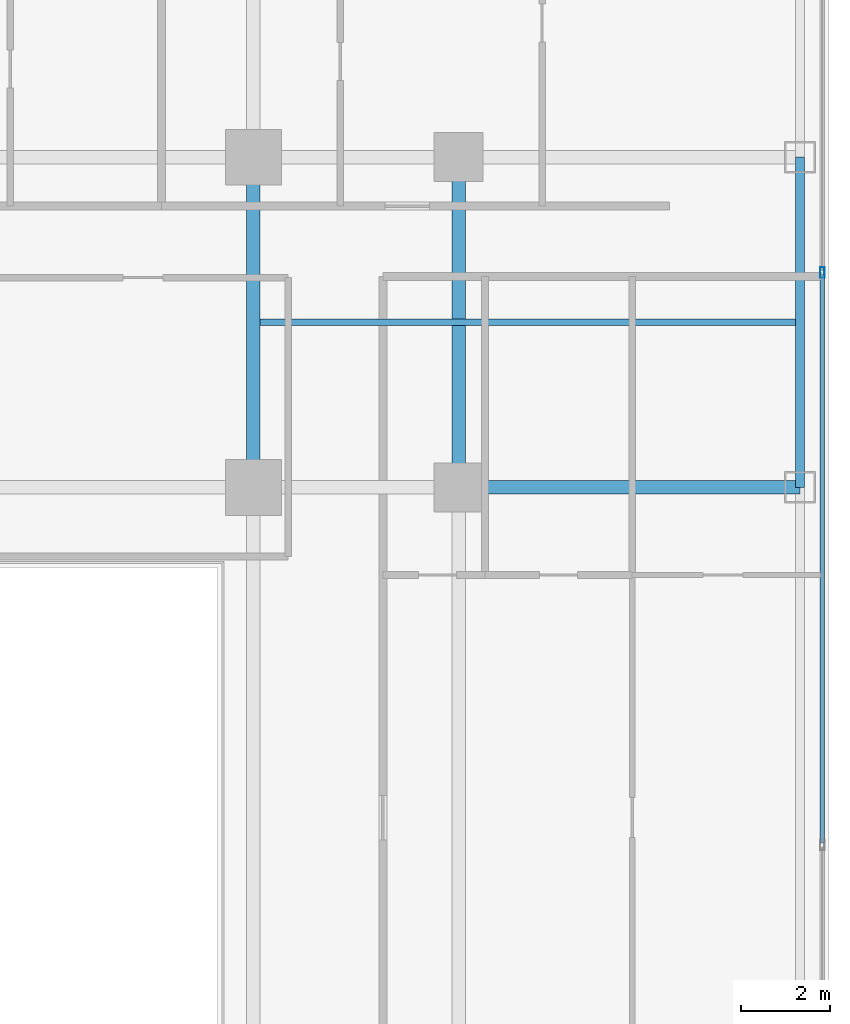
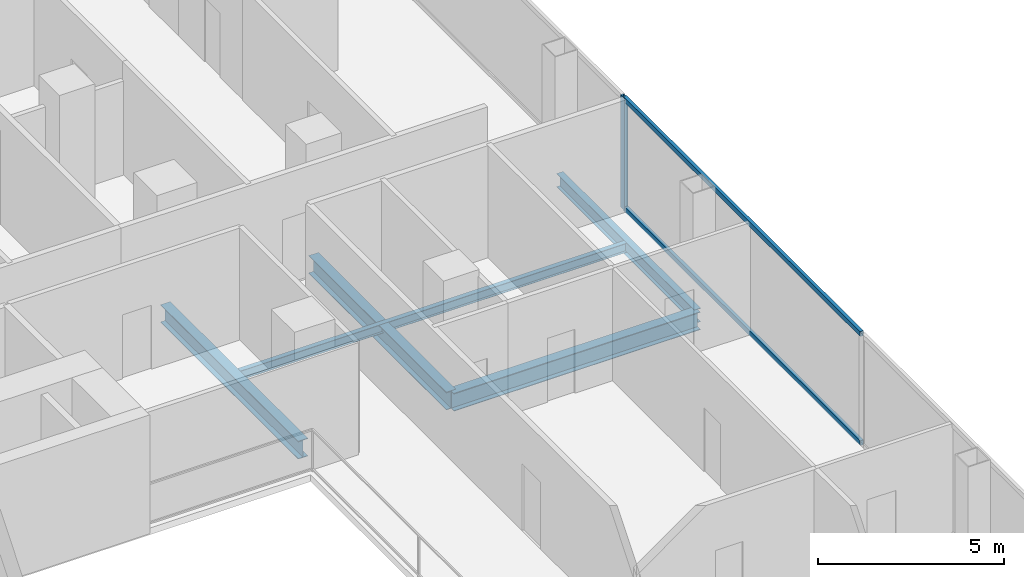
# One storey, part 11 of 26: 5 beams, 3 members, 1 element without a shape of its own.
"""IFC4 building model written with IfcOpenShell, lengths in metres."""

from ifc_helpers import new_model, si_unit, direction, frame, origin, origin_2d, place, context, subcontext, project, spatial, hollow_rectangle, i_section, extrude, material, layer, layer_set, material_profile, profile_set, type_object, element, aggregate, save


model = new_model("IFC4")

# Units and contexts
model_context = context("Model", 3, precision=1e-05, world=origin(), true_north=direction((0.0, 1.0)))
body_context = subcontext(model_context, "Body", "Model", "MODEL_VIEW")
ifc_project = project(units=[si_unit("LENGTHUNIT", "METRE"), si_unit("AREAUNIT", "SQUARE_METRE"), si_unit("VOLUMEUNIT", "CUBIC_METRE"), si_unit("PLANEANGLEUNIT", "RADIAN"), si_unit("MASSUNIT", "GRAM", prefix="KILO")], contexts=[model_context])

# Site, building, storey
site_placement = place(None, origin())
site = spatial("IfcSite", under=ifc_project, at=site_placement, CompositionType="ELEMENT")
building_placement = place(site_placement, origin())
building = spatial("IfcBuilding", under=site, at=building_placement, Name="Khorvyn Point Tower", CompositionType="ELEMENT")
storey_placement = place(building_placement, frame((0.0, 0.0, 113.39990234375)))
storey = spatial("IfcBuildingStorey", under=building, at=storey_placement, Name="L28", CompositionType="ELEMENT", Elevation=113.39990234375)

# Curtain wall, members
ifc_material_1 = material(Name="Anodised aluminium 6063-T6 and laminated Low-E glass", Category="aluminium")
ifc_layer = layer(ifc_material_1, 0.18994140625)
ifc_layer_set = layer_set([ifc_layer], Name="Stick-Built Acoustic Curtain Wall CW-SYS-03")
curtain_wall_type = type_object("IfcCurtainWallType", Name="Stick-Built Acoustic Curtain Wall CW-SYS-03", PredefinedType="NOTDEFINED", material=ifc_layer_set)
curtain_wall_placement = place(storey_placement, origin())
curtain_wall = element("IfcCurtainWall", 1, at=curtain_wall_placement, inside=storey, type_object=curtain_wall_type, Name="Curtain Wall", PredefinedType="NOTDEFINED")
ifc_material_2 = material(Name="Anodised aluminium 6063-T6", Category="aluminium")
ifc_material_profile_1 = material_profile(ifc_material_2, hollow_rectangle(XDim=0.10009765625, YDim=0.239990234375, WallThickness=0.0048828125, at=origin_2d()))
ifc_profile_set_1 = profile_set([ifc_material_profile_1], Name="Anodised aluminium 6063-T6 ALU-MUL-100x240")
member_type_1 = type_object("IfcMemberType", Name="Anodised Aluminium 6063-T6 Mullion ALU-MUL-100x240", PredefinedType="MULLION", material=ifc_profile_set_1)
member_1_placement = place(storey_placement, frame((27.550048828125, 12.216552734375, 0.0), z_axis=(0.0, 0.0, 1.0), x_axis=(1.0, 0.0, 0.0)))
member_1 = element("IfcMember", 2, at=member_1_placement, type_object=member_type_1, Name="Transom", PredefinedType="MULLION", context=body_context, shape_type="SweptSolid", body=[
    extrude(hollow_rectangle(XDim=0.10009765625, YDim=0.239990234375, WallThickness=0.0048828125, at=origin_2d()), origin(), (0.0, 0.0, 1.0), 3.68017578125),
])
ifc_material_profile_2 = material_profile(ifc_material_2, hollow_rectangle(XDim=0.10009765625, YDim=0.159912109375, WallThickness=0.00439453125, at=origin_2d()))
ifc_profile_set_2 = profile_set([ifc_material_profile_2], Name="Anodised aluminium 6063-T6 ALU-TRN-100x160")
member_type_2 = type_object("IfcMemberType", Name="Anodised Aluminium 6063-T6 Transom ALU-TRN-100x160", PredefinedType="USERDEFINED", material=ifc_profile_set_2)
member_2_placement = place(storey_placement, frame((27.550048828125, 12.166748046875, 0.050048828125), z_axis=(0.0, -1.0, 0.0), x_axis=(1.0, 0.0, 0.0)))
member_2 = element("IfcMember", 3, at=member_2_placement, type_object=member_type_2, Name="Transom", ObjectType="TRANSOM", PredefinedType="USERDEFINED", context=body_context, shape_type="SweptSolid", body=[
    extrude(hollow_rectangle(XDim=0.10009765625, YDim=0.159912109375, WallThickness=0.00439453125, at=origin_2d()), origin(), (0.0, 0.0, 1.0), 12.7333984375),
])
member_3_placement = place(storey_placement, frame((27.550048828125, 12.166748046875, 3.630126953125), z_axis=(0.0, -1.0, 0.0), x_axis=(1.0, 0.0, 0.0)))
member_3 = element("IfcMember", 4, at=member_3_placement, type_object=member_type_2, Name="Transom", ObjectType="TRANSOM", PredefinedType="USERDEFINED", context=body_context, shape_type="SweptSolid", body=[
    extrude(hollow_rectangle(XDim=0.10009765625, YDim=0.159912109375, WallThickness=0.00439453125, at=origin_2d()), origin(), (0.0, 0.0, 1.0), 12.7333984375),
])
aggregate(curtain_wall, [member_1, member_2, member_3])

# Beams
ifc_material_3 = material(Name="Steel S355", Category="steel")
ifc_material_profile_3 = material_profile(ifc_material_3, i_section(OverallWidth=0.300048828125, OverallDepth=0.587890625, WebThickness=0.011962890625, FlangeThickness=0.02001953125, at=origin_2d()))
ifc_profile_set_3 = profile_set([ifc_material_profile_3], Name="Steel S355 H588x300x12x20")
beam_type_1 = type_object("IfcBeamType", Name="Steel S355 Beam H588x300x12x20", PredefinedType="BEAM", material=ifc_profile_set_3)
beam_1_placement = place(storey_placement, frame((19.39990234375, 7.39990234375, -0.513916015625), z_axis=(1.0, 0.0, 0.0), x_axis=(0.0, 1.0, 0.0)))
element("IfcBeam", 5, at=beam_1_placement, inside=storey, type_object=beam_type_1, Name="Beam", PredefinedType="BEAM", context=body_context, shape_type="SweptSolid", body=[
    extrude(i_section(OverallWidth=0.300048828125, OverallDepth=0.587890625, WebThickness=0.011962890625, FlangeThickness=0.02001953125, at=origin_2d()), origin(), (0.0, 0.0, 1.0), 7.650146484375),
])
for number, where, z_axis, x_axis, name in (
    (6, (14.800048828125, 7.39990234375, -0.513916015625), (0.0, 1.0, 0.0), (-1.0, 0.0, 0.0), "Beam"),
    (7, (19.39990234375, 7.39990234375, -0.513916015625), (0.0, 1.0, 0.0), (-1.0, 0.0, 0.0), "Beam"),
):
    element("IfcBeam", number, at=place(storey_placement, frame(where, z_axis=z_axis, x_axis=x_axis)), inside=storey, type_object=beam_type_1, Name=name, PredefinedType="BEAM", context=body_context, shape_type="SweptSolid", body=[
        extrude(i_section(OverallWidth=0.300048828125, OverallDepth=0.587890625, WebThickness=0.011962890625, FlangeThickness=0.02001953125, at=origin_2d()), origin(), (0.0, 0.0, 1.0), 7.400146484375),
    ])
ifc_material_profile_4 = material_profile(ifc_material_3, i_section(OverallWidth=0.14990234375, OverallDepth=0.300048828125, WebThickness=0.006591796875, FlangeThickness=0.009033203125, at=origin_2d()))
ifc_profile_set_4 = profile_set([ifc_material_profile_4], Name="Steel S355 H300x150x6.5x9")
beam_type_2 = type_object("IfcBeamType", Name="Steel S355 Joist H300x150x6.5x9", PredefinedType="JOIST", material=ifc_profile_set_4)
beam_2_placement = place(storey_placement, frame((14.949951171875, 11.10009765625, -0.369873046875), z_axis=(1.0, 0.0, 0.0), x_axis=(0.0, 1.0, 0.0)))
element("IfcBeam", 8, at=beam_2_placement, inside=storey, type_object=beam_type_2, Name="Beam", PredefinedType="JOIST", context=body_context, shape_type="SweptSolid", body=[
    extrude(i_section(OverallWidth=0.14990234375, OverallDepth=0.300048828125, WebThickness=0.006591796875, FlangeThickness=0.009033203125, at=origin_2d()), origin(), (0.0, 0.0, 1.0), 12.0),
])
ifc_material_profile_5 = material_profile(ifc_material_3, i_section(OverallWidth=0.199951171875, OverallDepth=0.449951171875, WebThickness=0.009033203125, FlangeThickness=0.013916015625, at=origin_2d()))
ifc_profile_set_5 = profile_set([ifc_material_profile_5], Name="Steel S355 H450x200x9x14")
beam_type_3 = type_object("IfcBeamType", Name="Steel S355 Spandrel H450x200x9x14", PredefinedType="SPANDREL", material=ifc_profile_set_5)
beam_3_placement = place(storey_placement, frame((27.050048828125, 7.39990234375, -0.44482421875), z_axis=(0.0, 1.0, 0.0), x_axis=(-1.0, 0.0, 0.0)))
element("IfcBeam", 9, at=beam_3_placement, inside=storey, type_object=beam_type_3, Name="Beam", PredefinedType="SPANDREL", context=body_context, shape_type="SweptSolid", body=[
    extrude(i_section(OverallWidth=0.199951171875, OverallDepth=0.449951171875, WebThickness=0.009033203125, FlangeThickness=0.013916015625, at=origin_2d()), origin(), (0.0, 0.0, 1.0), 7.400146484375),
])

save(model, "model.ifc")
